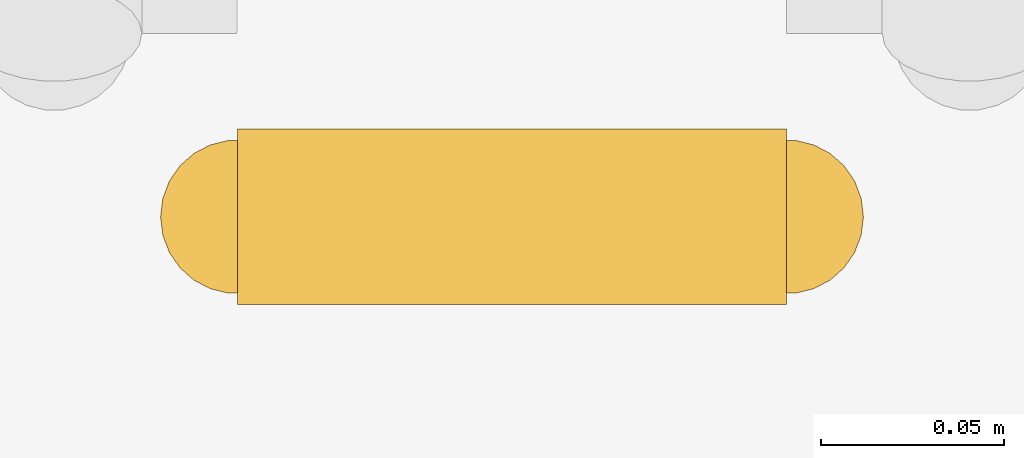
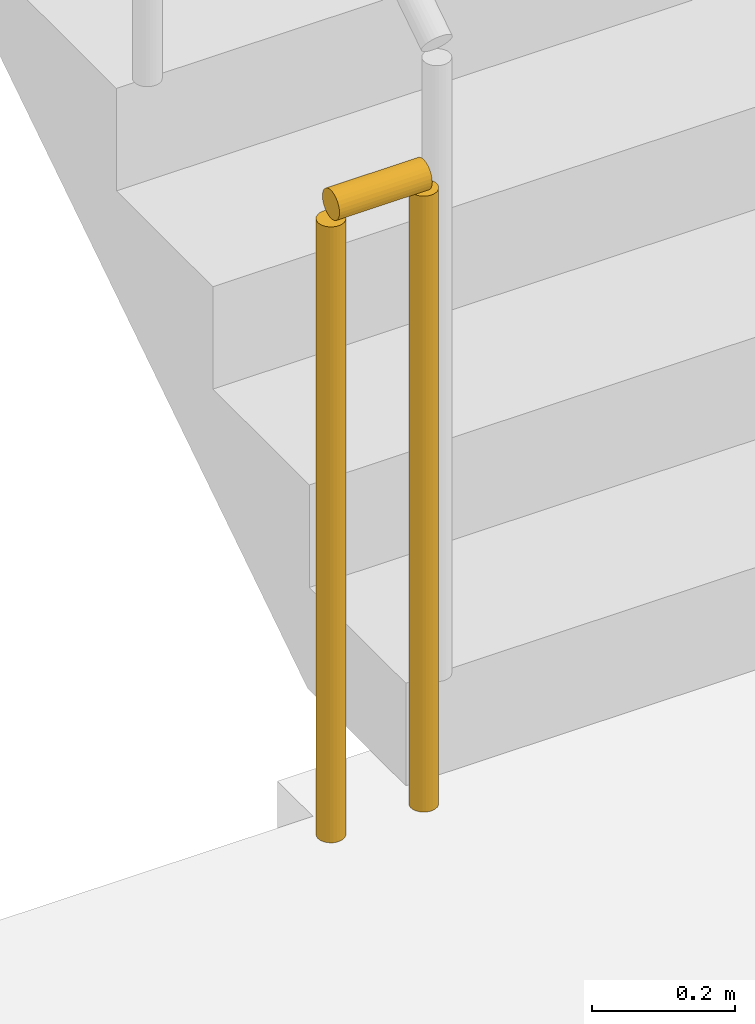
# One storey, part 15 of 20: 1 railing.
"""IFC4 building model written with IfcOpenShell, lengths in metres."""

from ifc_helpers import new_model, si_unit, direction, frame, origin, origin_2d, place, context, subcontext, project, spatial, circle, extrude, material, type_object, element, save


model = new_model("IFC4")

# Units and contexts
model_context = context("Model", 3, precision=1e-05, world=origin(), true_north=direction((0.0, 1.0)))
body_context = subcontext(model_context, "Body", "Model", "MODEL_VIEW")
ifc_project = project(units=[si_unit("LENGTHUNIT", "METRE"), si_unit("AREAUNIT", "SQUARE_METRE"), si_unit("VOLUMEUNIT", "CUBIC_METRE"), si_unit("PLANEANGLEUNIT", "RADIAN"), si_unit("MASSUNIT", "GRAM", prefix="KILO")], contexts=[model_context])

# Site, building, storey
site_placement = place(None, origin())
site = spatial("IfcSite", under=ifc_project, at=site_placement, CompositionType="ELEMENT")
building_placement = place(site_placement, origin())
building = spatial("IfcBuilding", under=site, at=building_placement, Name="Saffron Iwan Residences", CompositionType="ELEMENT")
storey_placement = place(building_placement, frame((0.0, 0.0, 164.0)))
storey = spatial("IfcBuildingStorey", under=building, at=storey_placement, Name="L43", CompositionType="ELEMENT", Elevation=164.0)

# Railing
ifc_material = material(Name="Steel S355", Category="steel")
railing_type = type_object("IfcRailingType", Name="Stair guard 1100", PredefinedType="GUARDRAIL", material=ifc_material)
railing_placement = place(storey_placement, frame((31.25, 67.800048828125, 0.0)))
element("IfcRailing", 1, at=railing_placement, inside=storey, type_object=railing_type, Name="L43 ST-W stair guard 2", PredefinedType="GUARDRAIL", context=body_context, shape_type="SweptSolid", body=[
    extrude(circle(Radius=0.02392578125, at=origin_2d()), frame((0.0, 0.0, 1.076171875), z_axis=(-1.0, 0.0, 0.0), x_axis=(0.0, -1.0, 0.0)), (0.0, 0.0, 1.0), 0.14990234375),
    extrude(circle(Radius=0.02099609375, at=origin_2d()), origin(), (0.0, 0.0, 1.0), 1.052001953125),
    extrude(circle(Radius=0.02099609375, at=origin_2d()), frame((-0.14990234375, 0.0, 0.0)), (0.0, 0.0, 1.0), 1.052001953125),
])

save(model, "model.ifc")
